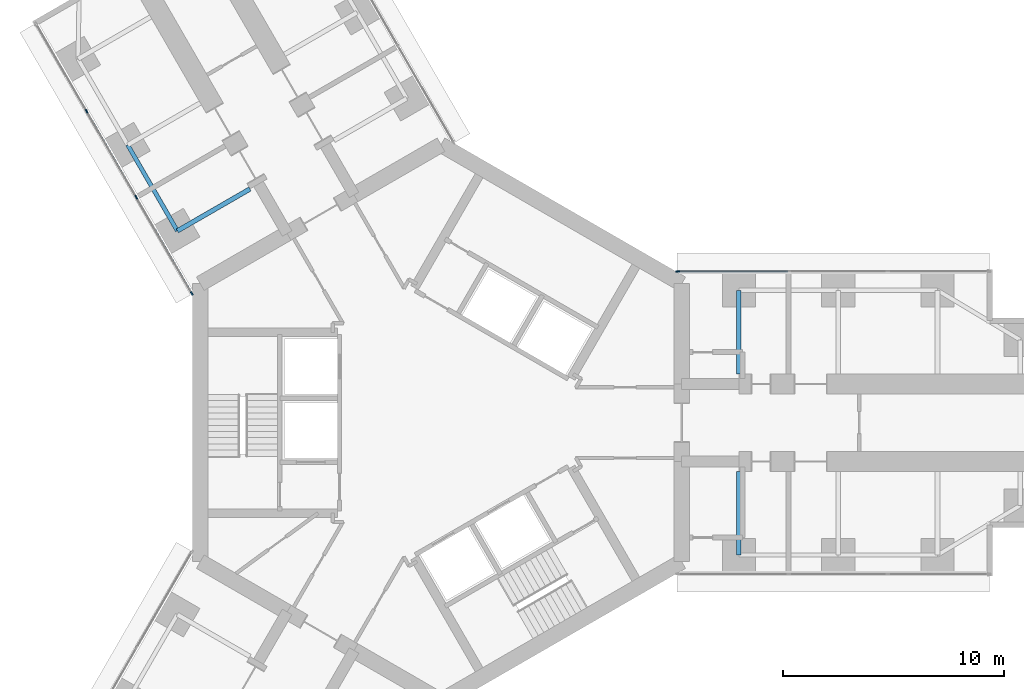
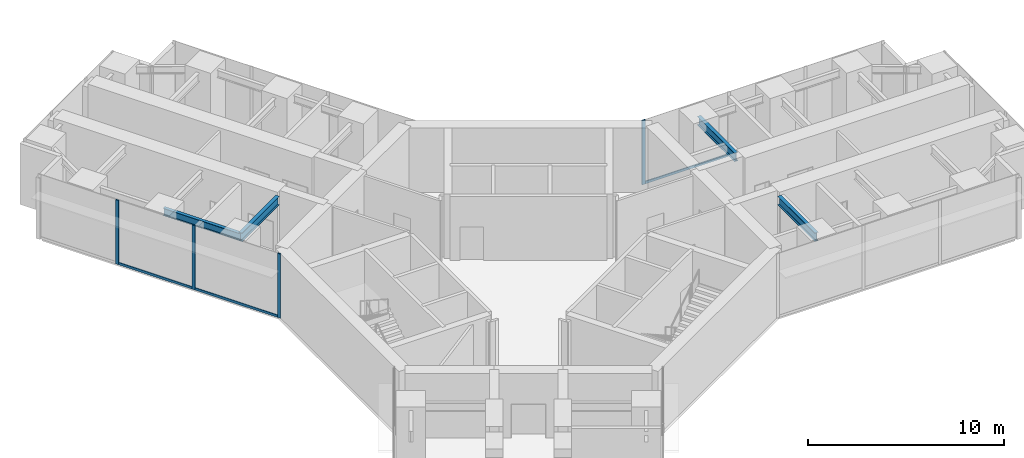
# One storey, part 6 of 23: 7 members, 4 beams, 2 elements without a shape of their own.
"""IFC4 building model written with IfcOpenShell, lengths in metres."""

from ifc_helpers import new_model, si_unit, direction, frame, origin, origin_2d, place, context, subcontext, project, spatial, rectangle, i_section, extrude, material, material_profile, profile_set, type_object, element, aggregate, save


model = new_model("IFC4")

# Units and contexts
model_context = context("Model", 3, precision=1e-05, world=origin(), true_north=direction((0.0, 1.0)))
body_context = subcontext(model_context, "Body", "Model", "MODEL_VIEW")
ifc_project = project(units=[si_unit("LENGTHUNIT", "METRE"), si_unit("AREAUNIT", "SQUARE_METRE"), si_unit("VOLUMEUNIT", "CUBIC_METRE"), si_unit("PLANEANGLEUNIT", "RADIAN"), si_unit("MASSUNIT", "GRAM", prefix="KILO")], contexts=[model_context])

# Site, building, storey
site_placement = place(None, origin())
site = spatial("IfcSite", under=ifc_project, at=site_placement, CompositionType="ELEMENT")
building_placement = place(site_placement, origin())
building = spatial("IfcBuilding", under=site, at=building_placement, Name="Upepo Twin Towers", CompositionType="ELEMENT")
storey_placement = place(building_placement, frame((0.0, 0.0, 32.5)))
storey = spatial("IfcBuildingStorey", under=building, at=storey_placement, Name="L07", CompositionType="ELEMENT", Elevation=32.5)

# Beams
ifc_material_1 = material(Name="Steel S355", Category="steel")
ifc_material_profile_1 = material_profile(ifc_material_1, i_section(OverallWidth=0.1904296875, OverallDepth=0.45703125, WebThickness=0.009033203125, FlangeThickness=0.014404296875, FilletRadius=0.01025390625, at=origin_2d()), Name="UB 457x191x74")
ifc_profile_set_1 = profile_set([ifc_material_profile_1], Name="Steel S355")
beam_type_1 = type_object("IfcBeamType", Name="Beam UB 457x191x74", PredefinedType="BEAM", material=ifc_profile_set_1)
beam_1_placement = place(storey_placement, frame((-11.946044921875, 8.69140625, 3.571533203125), z_axis=(-0.500013631625, 0.866017533419, 0.0), x_axis=(-0.866017533419, -0.500013631625, 0.0)))
element("IfcBeam", 1, at=beam_1_placement, inside=storey, type_object=beam_type_1, Name="T1 edge beam BL 13.5-18.0", PredefinedType="BEAM", context=body_context, shape_type="SweptSolid", body=[
    extrude(i_section(OverallWidth=0.1904296875, OverallDepth=0.45703125, WebThickness=0.009033203125, FlangeThickness=0.014404296875, FilletRadius=0.01025390625, at=origin_2d()), origin(), (0.0, 0.0, 1.0), 4.499755859375),
])
ifc_material_2 = material(Name="Steel S355", Category="steel")
ifc_material_profile_2 = material_profile(ifc_material_2, i_section(OverallWidth=0.209228515625, OverallDepth=0.533203125, WebThickness=0.010009765625, FlangeThickness=0.015625, FilletRadius=0.0126953125, at=origin_2d()), Name="UB 533x210x92")
ifc_profile_set_2 = profile_set([ifc_material_profile_2], Name="Steel S355")
beam_type_2 = type_object("IfcBeamType", Name="Beam UB 533x210x92", PredefinedType="BEAM", material=ifc_profile_set_2)
for number, where, z_axis, x_axis, name in (
    (2, (13.5, 6.0, 3.533447265625), (0.0, -1.0, 0.0), (1.0, 0.0, 0.0), "T1 girder AL at 13.5"),
    (3, (13.5, -6.0, 3.533447265625), (0.0, 1.0, 0.0), (-1.0, 0.0, 0.0), "T1 girder AR at 13.5"),
):
    element("IfcBeam", number, at=place(storey_placement, frame(where, z_axis=z_axis, x_axis=x_axis)), inside=storey, type_object=beam_type_2, Name=name, PredefinedType="BEAM", context=body_context, shape_type="SweptSolid", body=[
        extrude(i_section(OverallWidth=0.209228515625, OverallDepth=0.533203125, WebThickness=0.010009765625, FlangeThickness=0.015625, FilletRadius=0.0126953125, at=origin_2d()), origin(), (0.0, 0.0, 1.0), 3.800048828125),
    ])
beam_2_placement = place(storey_placement, frame((-11.946044921875, 8.69140625, 3.533447265625), z_axis=(0.866028304915, 0.499994975061, 0.0), x_axis=(-0.499994975061, 0.866028304915, 0.0)))
element("IfcBeam", 4, at=beam_2_placement, inside=storey, type_object=beam_type_2, Name="T1 girder BL at 13.5", PredefinedType="BEAM", context=body_context, shape_type="SweptSolid", body=[
    extrude(i_section(OverallWidth=0.209228515625, OverallDepth=0.533203125, WebThickness=0.010009765625, FlangeThickness=0.015625, FilletRadius=0.0126953125, at=origin_2d()), origin(), (0.0, 0.0, 1.0), 3.7998046875),
])

# Curtain wall, member
ifc_material_3 = material(Name="Aluminium and fritted glass", Category="aluminium")
curtain_wall_type = type_object("IfcCurtainWallType", Name="Tower curtain wall TW1, fritted glass", PredefinedType="NOTDEFINED", material=ifc_material_3)
curtain_wall_1_placement = place(storey_placement, origin())
curtain_wall_1 = element("IfcCurtainWall", 5, at=curtain_wall_1_placement, inside=storey, type_object=curtain_wall_type, Name="T1 L07 wing A flank L curtain wall", PredefinedType="NOTDEFINED")
ifc_material_4 = material(Name="Aluminium mullion", Category="aluminium")
ifc_material_profile_3 = material_profile(ifc_material_4, rectangle(XDim=0.06494140625, YDim=0.179931640625, at=origin_2d()), Name="MULLION 65x180")
ifc_profile_set_3 = profile_set([ifc_material_profile_3], Name="Aluminium mullion")
member_type_1 = type_object("IfcMemberType", Name="Mullion 65x180 TW1", PredefinedType="MULLION", material=ifc_profile_set_3)
member_1_placement = place(storey_placement, frame((10.7197265625, 6.85009765625, 0.0), z_axis=(0.0, 0.0, 1.0), x_axis=(0.0, 1.0, 0.0)))
member_1 = element("IfcMember", 6, at=member_1_placement, type_object=member_type_1, Name="T1 L07 wing A flank L curtain wall mullion 1", PredefinedType="MULLION", context=body_context, shape_type="SweptSolid", body=[
    extrude(rectangle(XDim=0.06494140625, YDim=0.179931640625, at=origin_2d()), origin(), (0.0, 0.0, 1.0), 4.0),
])

# Curtain wall, members
curtain_wall_2_placement = place(storey_placement, origin())
curtain_wall_2 = element("IfcCurtainWall", 7, at=curtain_wall_2_placement, inside=storey, type_object=curtain_wall_type, Name="T1 L07 wing B flank L curtain wall", PredefinedType="NOTDEFINED")
member_2_placement = place(storey_placement, frame((-11.2919921875, 5.8583984375, 0.0), z_axis=(0.0, 0.0, 1.0), x_axis=(-0.866025389682, -0.500000024426, 0.0)))
member_2 = element("IfcMember", 8, at=member_2_placement, type_object=member_type_1, Name="T1 L07 wing B flank L curtain wall mullion 1", PredefinedType="MULLION", context=body_context, shape_type="SweptSolid", body=[
    extrude(rectangle(XDim=0.06494140625, YDim=0.179931640625, at=origin_2d()), origin(), (0.0, 0.0, 1.0), 4.0),
])
member_3_placement = place(storey_placement, frame((-13.807373046875, 10.21484375, 0.0), z_axis=(0.0, 0.0, 1.0), x_axis=(-0.866025389682, -0.500000024426, 0.0)))
member_3 = element("IfcMember", 9, at=member_3_placement, type_object=member_type_1, Name="T1 L07 wing B flank L curtain wall mullion 2", PredefinedType="MULLION", context=body_context, shape_type="SweptSolid", body=[
    extrude(rectangle(XDim=0.06494140625, YDim=0.179931640625, at=origin_2d()), origin(), (0.0, 0.0, 1.0), 4.0),
])
member_4_placement = place(storey_placement, frame((-16.057373046875, 14.112060546875, 0.0), z_axis=(0.0, 0.0, 1.0), x_axis=(-0.866025389682, -0.500000024426, 0.0)))
member_4 = element("IfcMember", 10, at=member_4_placement, type_object=member_type_1, Name="T1 L07 wing B flank L curtain wall mullion 3", PredefinedType="MULLION", context=body_context, shape_type="SweptSolid", body=[
    extrude(rectangle(XDim=0.06494140625, YDim=0.179931640625, at=origin_2d()), origin(), (0.0, 0.0, 1.0), 4.0),
])

# Member
ifc_material_5 = material(Name="Aluminium transom", Category="aluminium")
ifc_material_profile_4 = material_profile(ifc_material_5, rectangle(XDim=0.06494140625, YDim=0.14990234375, at=origin_2d()), Name="TRANSOM 65x150")
ifc_profile_set_4 = profile_set([ifc_material_profile_4], Name="Aluminium transom")
member_type_2 = type_object("IfcMemberType", Name="Transom 65x150 TW1", PredefinedType="USERDEFINED", material=ifc_profile_set_4)
member_5_placement = place(storey_placement, frame((10.752197265625, 6.85009765625, 0.074951171875), z_axis=(1.0, 0.0, 0.0), x_axis=(0.0, 1.0, 0.0)))
member_5 = element("IfcMember", 11, at=member_5_placement, type_object=member_type_2, Name="T1 L07 wing A flank L curtain wall transom 1", ObjectType="TRANSOM", PredefinedType="USERDEFINED", context=body_context, shape_type="SweptSolid", body=[
    extrude(rectangle(XDim=0.06494140625, YDim=0.14990234375, at=origin_2d()), origin(), (0.0, 0.0, 1.0), 4.96533203125),
])

aggregate(curtain_wall_1, [member_1, member_5])

member_6_placement = place(storey_placement, frame((-11.308349609375, 5.88671875, 0.074951171875), z_axis=(-0.50000478328, 0.866022642139, 0.0), x_axis=(-0.866022642139, -0.50000478328, 0.0)))
member_6 = element("IfcMember", 12, at=member_6_placement, type_object=member_type_2, Name="T1 L07 wing B flank L curtain wall transom 1", ObjectType="TRANSOM", PredefinedType="USERDEFINED", context=body_context, shape_type="SweptSolid", body=[
    extrude(rectangle(XDim=0.06494140625, YDim=0.14990234375, at=origin_2d()), origin(), (0.0, 0.0, 1.0), 4.96533203125),
])

member_7_placement = place(storey_placement, frame((-13.823486328125, 10.2431640625, 0.074951171875), z_axis=(-0.500005184116, 0.866022410713, 0.0), x_axis=(-0.866022410713, -0.500005184116, 0.0)))
member_7 = element("IfcMember", 13, at=member_7_placement, type_object=member_type_2, Name="T1 L07 wing B flank L curtain wall transom 2", ObjectType="TRANSOM", PredefinedType="USERDEFINED", context=body_context, shape_type="SweptSolid", body=[
    extrude(rectangle(XDim=0.06494140625, YDim=0.14990234375, at=origin_2d()), origin(), (0.0, 0.0, 1.0), 4.43505859375),
])

aggregate(curtain_wall_2, [member_2, member_3, member_4, member_6, member_7])

save(model, "model.ifc")
